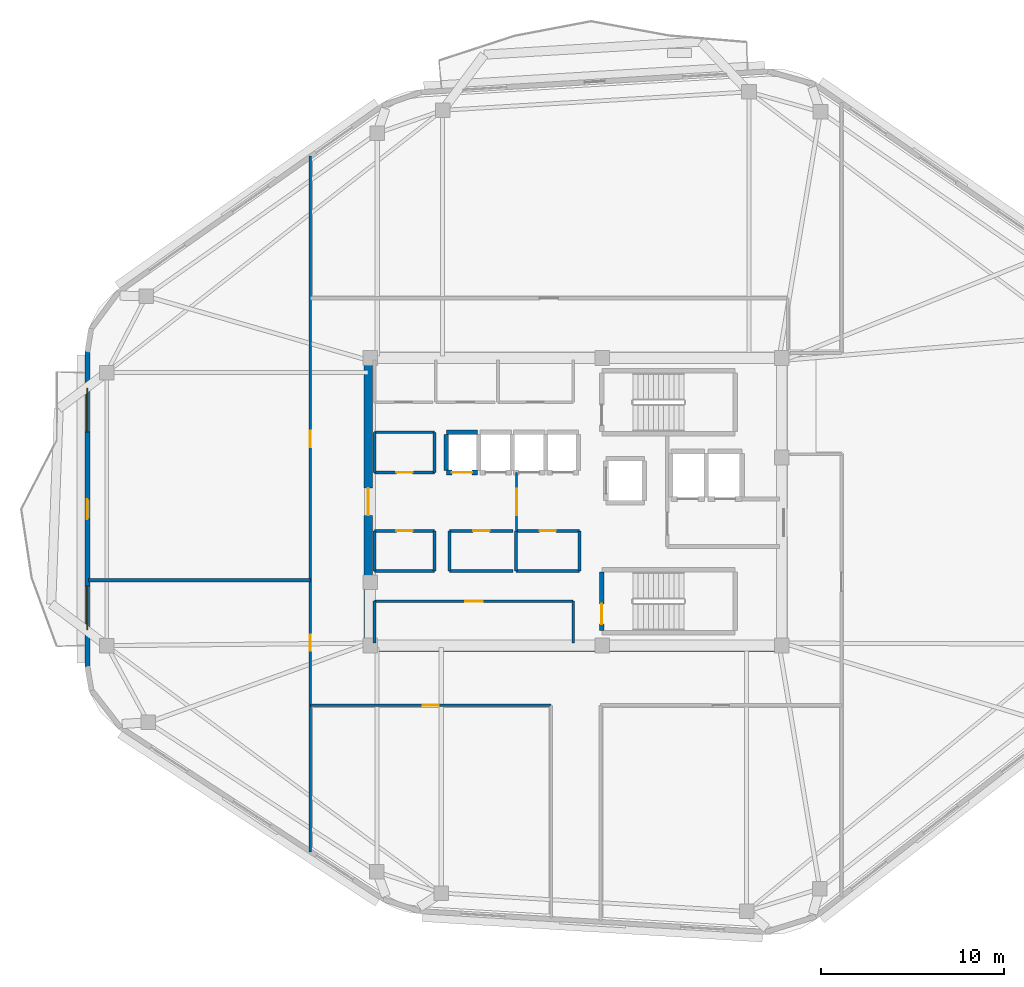
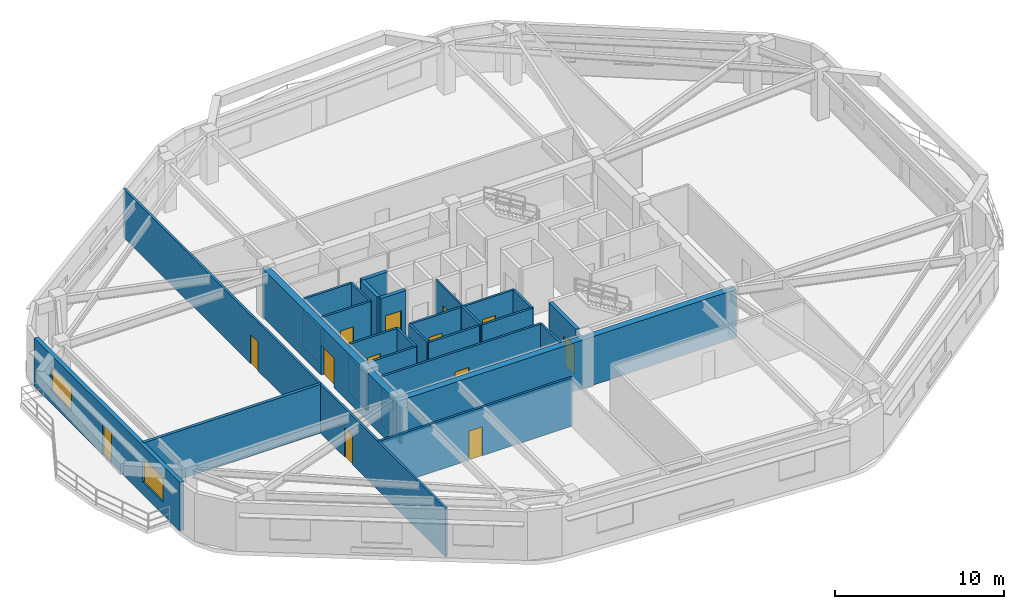
# One storey, part 3 of 9: 29 walls, 13 doors, 2 windows, 15 openings.
"""IFC4 building model written with IfcOpenShell, lengths in metres."""

import ifcopenshell
import ifcopenshell.guid

model = None  # the IFC model being written
_history = None  # IfcOwnerHistory: only IFC2X3 demands one
_inside = {}  # id of a spatial element -> (the spatial element, [elements in it])
_under = {}  # id of a project, library or spatial element -> (it, [spatial elements below it])
_declared = {}  # id of a project -> (the project, [libraries it declares])
_typed = {}  # id of a type object -> (the type object, [elements of that type])
_made_of = {}  # id of a material, layer set ... -> (it, [elements and type objects made of it])


def new_model(schema):
    """Start an empty IFC model of exactly this schema.

    Asked for "IFC4X3", IfcOpenShell would pick the latest addendum, in which some entities
    have other attributes; the version numbers below select the first issue.
    IFC2X3 requires an IfcOwnerHistory on every rooted entity: one is made here for all.
    """
    global model, _history
    if schema == "IFC4X3":
        model = ifcopenshell.file(schema_version=(4, 3, 0, 0))
    else:
        model = ifcopenshell.file(schema=schema)
    _inside.clear()
    _under.clear()
    _declared.clear()
    _typed.clear()
    _made_of.clear()
    _history = None
    if model.schema == "IFC2X3":
        org = make("IfcOrganization", Name="unknown")
        user = make(
            "IfcPersonAndOrganization",
            ThePerson=make("IfcPerson", FamilyName="unknown"),
            TheOrganization=org,
        )
        app = make(
            "IfcApplication",
            ApplicationDeveloper=org,
            Version="unknown",
            ApplicationFullName="unknown",
            ApplicationIdentifier="unknown",
        )
        _history = make(
            "IfcOwnerHistory",
            OwningUser=user,
            OwningApplication=app,
            ChangeAction="ADDED",
            CreationDate=0,
        )
    return model


def make(cls, **values):
    """One entity of the class cls with the attributes given. An attribute that is None is left unset."""
    return model.create_entity(
        cls, **{name: value for name, value in values.items() if value is not None}
    )


def rooted(cls, **values):
    """An entity with a GlobalId (a new one), such as an element, a storey or a relation."""
    return make(cls, GlobalId=ifcopenshell.guid.new(), OwnerHistory=_history, **values)


def si_unit(unit_type, name, prefix=None):
    """IfcSIUnit, for example si_unit("LENGTHUNIT", "METRE", prefix="MILLI")."""
    return make("IfcSIUnit", UnitType=unit_type, Prefix=prefix, Name=name)


def assignment(units):
    """IfcUnitAssignment: the units of a project."""
    return None if units is None else make("IfcUnitAssignment", Units=units)


def point(xyz):
    """IfcCartesianPoint."""
    return None if xyz is None else make("IfcCartesianPoint", Coordinates=xyz)


def direction(xyz):
    """IfcDirection."""
    return None if xyz is None else make("IfcDirection", DirectionRatios=xyz)


def frame(location, z_axis=None, x_axis=None):
    """IfcAxis2Placement3D, a coordinate frame: its origin and axes. An axis left out is left unset."""
    return make(
        "IfcAxis2Placement3D",
        Location=point(location),
        Axis=direction(z_axis),
        RefDirection=direction(x_axis),
    )


def frame_2d(location, x_axis=None):
    """IfcAxis2Placement2D, a coordinate frame in the plane: its origin and x axis."""
    return make(
        "IfcAxis2Placement2D", Location=point(location), RefDirection=direction(x_axis)
    )


def origin():
    """The frame at (0, 0, 0) with its axes left unset."""
    return frame((0.0, 0.0, 0.0))


def place(relative_to, where):
    """IfcLocalPlacement: puts the frame where relative to a parent placement (None: the world)."""
    return make(
        "IfcLocalPlacement", PlacementRelTo=relative_to, RelativePlacement=where
    )


def context(
    kind, dimensions, precision=None, world=None, true_north=None, identifier=None
):
    """IfcGeometricRepresentationContext, for example the 3D "Model" context."""
    return make(
        "IfcGeometricRepresentationContext",
        ContextIdentifier=identifier,
        ContextType=kind,
        CoordinateSpaceDimension=dimensions,
        Precision=precision,
        WorldCoordinateSystem=world,
        TrueNorth=true_north,
    )


def subcontext(parent, identifier, kind, view, scale=None):
    """IfcGeometricRepresentationSubContext, for example "Body" below "Model"."""
    return make(
        "IfcGeometricRepresentationSubContext",
        ContextIdentifier=identifier,
        ContextType=kind,
        ParentContext=parent,
        TargetScale=scale,
        TargetView=view,
    )


def project(units=None, contexts=None):
    """IfcProject with its units and contexts."""
    return rooted(
        "IfcProject",
        Name="project",
        RepresentationContexts=contexts,
        UnitsInContext=assignment(units),
    )


def spatial(cls, under=None, at=None, **own):
    """A site, building, storey or space (cls), placed at a placement, below another one or the project."""
    s = rooted(cls, ObjectPlacement=at, **own)
    if under is not None:
        _under.setdefault(under.id(), (under, []))[1].append(s)
    return s


def profile(cls, at=None, kind="AREA", **sizes):
    """A parametric profile (cls). Its sizes go by their IFC names, for example OverallWidth=200.0."""
    return make(cls, ProfileType=kind, Position=at, **sizes)


def rectangle(**sizes):
    """IfcRectangleProfileDef."""
    return profile("IfcRectangleProfileDef", **sizes)


def extrude(swept, where, along, depth):
    """IfcExtrudedAreaSolid: the profile swept, set in the frame where, extruded along a direction by depth."""
    return make(
        "IfcExtrudedAreaSolid",
        SweptArea=swept,
        Position=where,
        ExtrudedDirection=direction(along),
        Depth=depth,
    )


def shape(context_of_items, identifier, shape_type, items):
    """IfcShapeRepresentation: the items that make up one representation, for example the "Body"."""
    return make(
        "IfcShapeRepresentation",
        ContextOfItems=context_of_items,
        RepresentationIdentifier=identifier,
        RepresentationType=shape_type,
        Items=items,
    )


def material(Name=None, Category=None):
    """IfcMaterial."""
    return make("IfcMaterial", Name=Name, Category=Category)


def layer(
    of_material, thickness, ventilated=None, Name=None, Category=None, Priority=None
):
    """IfcMaterialLayer: one layer of a wall or slab, of a material (None: an air gap)."""
    return make(
        "IfcMaterialLayer",
        Material=of_material,
        LayerThickness=thickness,
        IsVentilated=ventilated,
        Name=Name,
        Category=Category,
        Priority=Priority,
    )


def layer_set(layers, Name=None):
    """IfcMaterialLayerSet."""
    return make("IfcMaterialLayerSet", MaterialLayers=layers, LayerSetName=Name)


def made_of(thing, what):
    """Note that an element or type object is made of a material, layer set ...; save() writes the relation."""
    if what is not None:
        _made_of.setdefault(what.id(), (what, []))[1].append(thing)
    return thing


def type_object(cls, material=None, **own):
    """A type object (cls), such as IfcWallType, which elements share."""
    return made_of(rooted(cls, **own), material)


def element(
    cls,
    number,
    at=None,
    inside=None,
    cuts=None,
    type_object=None,
    material=None,
    context=None,
    identifier="Body",
    shape_type=None,
    held_by="IfcProductDefinitionShape",
    body=None,
    shapes=None,
    **own,
):
    """One element of the class cls, such as IfcWall. Its Tag is "e" and its number.

    at: its placement. inside: the storey or other place that contains it. cuts: it is an
    opening in that element (IfcRelVoidsElement). A single representation is given by context,
    identifier, shape_type and body (its items); several are given by shapes. held_by: the class
    of the entity that holds the representations. save() writes the other relations.
    """
    e = rooted(cls, Tag="e%d" % number, ObjectPlacement=at, **own)
    if body is not None:
        shapes = [shape(context, identifier, shape_type, body)]
    if shapes is not None:
        e.Representation = make(held_by, Representations=shapes)
    if inside is not None:
        _inside.setdefault(inside.id(), (inside, []))[1].append(e)
    if cuts is not None:
        rooted(
            "IfcRelVoidsElement", RelatingBuildingElement=cuts, RelatedOpeningElement=e
        )
    if type_object is not None:
        _typed.setdefault(type_object.id(), (type_object, []))[1].append(e)
    return made_of(e, material)


def fill(opening, filler):
    """IfcRelFillsElement: the door or window that sits in an opening."""
    return rooted(
        "IfcRelFillsElement",
        RelatingOpeningElement=opening,
        RelatedBuildingElement=filler,
    )


def aggregate(whole, parts):
    """IfcRelAggregates: a whole, such as a stair, and the parts it consists of."""
    return rooted("IfcRelAggregates", RelatingObject=whole, RelatedObjects=parts)


def save(model, path):
    """Write the relations noted so far, then the file.

    IfcRelAggregates (storeys below a building ...), IfcRelContainedInSpatialStructure (elements
    in a storey), IfcRelDefinesByType, IfcRelAssociatesMaterial and IfcRelDeclares: one each for
    every whole, place, type object, material and project.
    """
    for whole, parts in _under.values():
        aggregate(whole, parts)
    for where, things in _inside.values():
        rooted(
            "IfcRelContainedInSpatialStructure",
            RelatedElements=things,
            RelatingStructure=where,
        )
    for kind, things in _typed.values():
        rooted("IfcRelDefinesByType", RelatedObjects=things, RelatingType=kind)
    for what, things in _made_of.values():
        rooted("IfcRelAssociatesMaterial", RelatedObjects=things, RelatingMaterial=what)
    for by, libraries in _declared.values():
        rooted("IfcRelDeclares", RelatingContext=by, RelatedDefinitions=libraries)
    model.write(path)


model = new_model("IFC4")

# Units and contexts
model_context = context("Model", 3, precision=1e-05, world=origin(), true_north=direction((0.0, 1.0)))
body_context = subcontext(model_context, "Body", "Model", "MODEL_VIEW")
ifc_project = project(units=[si_unit("LENGTHUNIT", "METRE"), si_unit("AREAUNIT", "SQUARE_METRE"), si_unit("VOLUMEUNIT", "CUBIC_METRE"), si_unit("PLANEANGLEUNIT", "RADIAN"), si_unit("MASSUNIT", "GRAM", prefix="KILO")], contexts=[model_context])

# Site, building, storey
site_placement = place(None, origin())
site = spatial("IfcSite", under=ifc_project, at=site_placement, CompositionType="ELEMENT")
building_placement = place(site_placement, origin())
building = spatial("IfcBuilding", under=site, at=building_placement, Name="Zulverin Broadcast Headquarters", CompositionType="ELEMENT")
storey_placement = place(building_placement, frame((0.0, 0.0, 244.0)))
storey = spatial("IfcBuildingStorey", under=building, at=storey_placement, Name="L62", CompositionType="ELEMENT", Elevation=244.0)

# Walls
ifc_material_1 = material(Name="Acoustic drywall steel stud", Category="steel")
ifc_layer_1 = layer(ifc_material_1, 0.199951171875, Name="Acoustic drywall steel stud", Category="steel")
ifc_layer_set_1 = layer_set([ifc_layer_1], Name="Acoustic drywall steel stud")
wall_type_1 = type_object("IfcWallType", Name="WL-ACOU-200", PredefinedType="PARTITIONING", material=ifc_layer_set_1)
wall_1_placement = place(storey_placement, frame((10.304931640625, 20.89990234375, 0.0), z_axis=(0.0, 0.0, 1.0), x_axis=(1.0, 0.0, 0.0)))
element("IfcWall", 1, at=wall_1_placement, inside=storey, type_object=wall_type_1, Name="L62 Room Partition Wall RP-09", PredefinedType="PARTITIONING", context=body_context, shape_type="SweptSolid", body=[
    extrude(rectangle(XDim=12.14501953125, YDim=0.199951171875, at=frame_2d((6.072509765625, 0.0))), origin(), (0.0, 0.0, 1.0), 3.510009765625),
])
ifc_material_2 = material(Name="Concrete C50/60", Category="concrete")
ifc_layer_2 = layer(ifc_material_2, 0.449951171875, Name="Concrete C50/60", Category="concrete")
ifc_layer_set_2 = layer_set([ifc_layer_2], Name="Concrete C50/60")
wall_type_2 = type_object("IfcWallType", Name="WL-CORE-450", PredefinedType="SHEAR", material=ifc_layer_set_2)
wall_2_placement = place(storey_placement, frame((25.39990234375, 17.22509765625, 0.0), z_axis=(0.0, 0.0, 1.0), x_axis=(1.0, 0.0, 0.0)))
element("IfcWall", 2, at=wall_2_placement, inside=storey, type_object=wall_type_2, Name="L62 Core South Shear Wall", PredefinedType="SHEAR", context=body_context, shape_type="SweptSolid", body=[
    extrude(rectangle(XDim=23.2001953125, YDim=0.449951171875, at=frame_2d((11.60009765625, 0.0))), origin(), (0.0, 0.0, 1.0), 3.510009765625),
])

# Wall, opening, door
wall_3_placement = place(storey_placement, frame((25.625, 17.449951171875, 0.0), z_axis=(0.0, 0.0, 1.0), x_axis=(0.0, 1.0, 0.0)))
wall_3 = element("IfcWall", 3, at=wall_3_placement, inside=storey, type_object=wall_type_2, Name="L62 Core West Shear Wall", PredefinedType="SHEAR", context=body_context, shape_type="SweptSolid", body=[
    extrude(rectangle(XDim=15.5, YDim=0.449951171875, at=frame_2d((7.75, 0.0))), origin(), (0.0, 0.0, 1.0), 3.510009765625),
])
opening_1_placement = place(wall_3_placement, frame((7.0, 0.0, 0.0)))
opening_1 = element("IfcOpeningElement", 4, at=opening_1_placement, cuts=wall_3, Name="Opening D-L62-CW1", PredefinedType="OPENING", context=body_context, shape_type="SweptSolid", body=[
    extrude(rectangle(XDim=1.5, YDim=2.14990234375, at=frame_2d((0.75, 1.074951171875))), frame((0.0, 0.23486328125, 0.0), z_axis=(0.0, -1.0, 0.0), x_axis=(1.0, 0.0, 0.0)), (0.0, 0.0, 1.0), 0.469970703125),
])
ifc_material_3 = material(Name="Fire-rated glazed steel frame", Category="steel")
door_type_1 = type_object("IfcDoorType", Name="DR-COR-1500", OperationType="DOUBLE_DOOR_SINGLE_SWING", PredefinedType="DOOR", material=ifc_material_3)
door_1_placement = place(opening_1_placement, origin())
door_1 = element("IfcDoor", 5, at=door_1_placement, inside=storey, type_object=door_type_1, Name="L62 Central Lift Lobby West Portal Door", OperationType="DOUBLE_DOOR_SINGLE_SWING", OverallHeight=2.14990234375, OverallWidth=1.5, PredefinedType="DOOR", context=body_context, shape_type="SweptSolid", body=[
    extrude(rectangle(XDim=1.5, YDim=2.14990234375, at=frame_2d((0.75, 1.074951171875))), frame((0.0, 0.02490234375, 0.0), z_axis=(0.0, -1.0, 0.0), x_axis=(1.0, 0.0, 0.0)), (0.0, 0.0, 1.0), 0.050048828125),
])
fill(opening_1, door_1)

# Wall, openings, door, windows
ifc_material_4 = material(Name="Insulated pale-metal clad concrete spandrel C40/50", Category="concrete")
ifc_layer_3 = layer(ifc_material_4, 0.280029296875, Name="Insulated pale-metal clad concrete spandrel C40/50", Category="concrete")
ifc_layer_set_3 = layer_set([ifc_layer_3], Name="Insulated pale-metal clad concrete spandrel C40/50")
wall_type_3 = type_object("IfcWallType", Name="WL-EXT-280", PredefinedType="STANDARD", material=ifc_layer_set_3)
wall_4_placement = place(storey_placement, frame((10.239990234375, 33.42529296875, 0.0), z_axis=(0.0, 0.0, 1.0), x_axis=(0.0, -1.0, 0.0)))
wall_4 = element("IfcWall", 6, at=wall_4_placement, inside=storey, type_object=wall_type_3, Name="L62 Pale-Metal Clad Spandrel Wall 7", PredefinedType="STANDARD", context=body_context, shape_type="SweptSolid", body=[
    extrude(rectangle(XDim=17.256591796875, YDim=0.280029296875, at=frame_2d((8.62841796875, 0.0))), origin(), (0.0, 0.0, 1.0), 3.510009765625),
])
opening_2_placement = place(wall_4_placement, frame((8.078369140625, 0.0, 0.0)))
opening_2 = element("IfcOpeningElement", 7, at=opening_2_placement, cuts=wall_4, Name="Opening D-L62-TR7", PredefinedType="OPENING", context=body_context, shape_type="SweptSolid", body=[
    extrude(rectangle(XDim=1.10009765625, YDim=2.199951171875, at=frame_2d((0.550048828125, 1.10009765625))), frame((0.0, 0.14990234375, 0.0), z_axis=(0.0, -1.0, 0.0), x_axis=(1.0, 0.0, 0.0)), (0.0, 0.0, 1.0), 0.300048828125),
])
opening_3_placement = place(wall_4_placement, frame((2.009521484375, 0.0, 0.89990234375)))
opening_3 = element("IfcOpeningElement", 8, at=opening_3_placement, cuts=wall_4, Name="Opening W-L62-E71", PredefinedType="OPENING", context=body_context, shape_type="SweptSolid", body=[
    extrude(rectangle(XDim=2.39990234375, YDim=1.75, at=frame_2d((1.199951171875, 0.875))), frame((0.0, 0.14990234375, 0.0), z_axis=(0.0, -1.0, 0.0), x_axis=(1.0, 0.0, 0.0)), (0.0, 0.0, 1.0), 0.300048828125),
])
opening_4_placement = place(wall_4_placement, frame((12.84716796875, 0.0, 0.89990234375)))
opening_4 = element("IfcOpeningElement", 9, at=opening_4_placement, cuts=wall_4, Name="Opening W-L62-E72", PredefinedType="OPENING", context=body_context, shape_type="SweptSolid", body=[
    extrude(rectangle(XDim=2.39990234375, YDim=1.75, at=frame_2d((1.199951171875, 0.875))), frame((0.0, 0.14990234375, 0.0), z_axis=(0.0, -1.0, 0.0), x_axis=(1.0, 0.0, 0.0)), (0.0, 0.0, 1.0), 0.300048828125),
])
ifc_material_5 = material(Name="Thermally broken aluminium glazed", Category="aluminium")
door_type_2 = type_object("IfcDoorType", Name="DR-TERR-1100", OperationType="SINGLE_SWING_RIGHT", PredefinedType="DOOR", material=ifc_material_5)
door_2_placement = place(opening_2_placement, origin())
door_2 = element("IfcDoor", 10, at=door_2_placement, inside=storey, type_object=door_type_2, Name="L62 Planted Terrace Glazed Access Door 7", OperationType="SINGLE_SWING_RIGHT", OverallHeight=2.199951171875, OverallWidth=1.10009765625, PredefinedType="DOOR", context=body_context, shape_type="SweptSolid", body=[
    extrude(rectangle(XDim=1.10009765625, YDim=2.199951171875, at=frame_2d((0.550048828125, 1.10009765625))), frame((0.0, 0.02490234375, 0.0), z_axis=(0.0, -1.0, 0.0), x_axis=(1.0, 0.0, 0.0)), (0.0, 0.0, 1.0), 0.050048828125),
])
fill(opening_2, door_2)
ifc_material_6 = material(Name="Pale anodized aluminium frame with solar-control low-E double glazing", Category="aluminium")
window_type = type_object("IfcWindowType", Name="WIN-RIB-2400", PartitioningType="SINGLE_PANEL", PredefinedType="WINDOW", material=ifc_material_6)
window_1_placement = place(opening_3_placement, origin())
window_1 = element("IfcWindow", 11, at=window_1_placement, inside=storey, type_object=window_type, Name="L62 Ribbon Glazing Window 7 1", OverallHeight=1.75, OverallWidth=2.39990234375, PartitioningType="SINGLE_PANEL", PredefinedType="WINDOW", context=body_context, shape_type="SweptSolid", body=[
    extrude(rectangle(XDim=2.39990234375, YDim=1.75, at=frame_2d((1.199951171875, 0.875))), frame((0.0, 0.030029296875, 0.0), z_axis=(0.0, -1.0, 0.0), x_axis=(1.0, 0.0, 0.0)), (0.0, 0.0, 1.0), 0.06005859375),
])
fill(opening_3, window_1)
window_2_placement = place(opening_4_placement, origin())
window_2 = element("IfcWindow", 12, at=window_2_placement, inside=storey, type_object=window_type, Name="L62 Ribbon Glazing Window 7 2", OverallHeight=1.75, OverallWidth=2.39990234375, PartitioningType="SINGLE_PANEL", PredefinedType="WINDOW", context=body_context, shape_type="SweptSolid", body=[
    extrude(rectangle(XDim=2.39990234375, YDim=1.75, at=frame_2d((1.199951171875, 0.875))), frame((0.0, 0.030029296875, 0.0), z_axis=(0.0, -1.0, 0.0), x_axis=(1.0, 0.0, 0.0)), (0.0, 0.0, 1.0), 0.06005859375),
])
fill(opening_4, window_2)

# Wall, opening, door
ifc_material_7 = material(Name="Fire-rated acoustic laminated glass screen", Category="glass")
ifc_layer_4 = layer(ifc_material_7, 0.10009765625, Name="Fire-rated acoustic laminated glass screen", Category="glass")
ifc_layer_set_4 = layer_set([ifc_layer_4], Name="Fire-rated acoustic laminated glass screen")
wall_type_4 = type_object("IfcWallType", Name="WL-GLAZ-100", PredefinedType="PARTITIONING", material=ifc_layer_set_4)
wall_5_placement = place(storey_placement, frame((33.75, 23.60009765625, 0.0), z_axis=(0.0, 0.0, 1.0), x_axis=(0.0, 1.0, 0.0)))
wall_5 = element("IfcWall", 13, at=wall_5_placement, inside=storey, type_object=wall_type_4, Name="L62 Core Lobby Acoustic Screen", PredefinedType="PARTITIONING", context=body_context, shape_type="SweptSolid", body=[
    extrude(rectangle(XDim=3.199951171875, YDim=0.10009765625, at=frame_2d((1.60009765625, 0.0))), origin(), (0.0, 0.0, 1.0), 3.510009765625),
])
opening_5_placement = place(wall_5_placement, frame((0.85009765625, 0.0, 0.0)))
opening_5 = element("IfcOpeningElement", 14, at=opening_5_placement, cuts=wall_5, Name="Opening D-L62-CL1", PredefinedType="OPENING", context=body_context, shape_type="SweptSolid", body=[
    extrude(rectangle(XDim=1.449951171875, YDim=2.1201171875, at=frame_2d((0.72509765625, 1.06005859375))), frame((0.0, 0.06005859375, 0.0), z_axis=(0.0, -1.0, 0.0), x_axis=(1.0, 0.0, 0.0)), (0.0, 0.0, 1.0), 0.1201171875),
])
ifc_material_8 = material(Name="Fire-rated acoustic glazed double leaf", Category="glass")
door_type_3 = type_object("IfcDoorType", Name="DR-GLZ-1450", OperationType="DOUBLE_DOOR_SINGLE_SWING", PredefinedType="DOOR", material=ifc_material_8)
door_3_placement = place(opening_5_placement, origin())
door_3 = element("IfcDoor", 15, at=door_3_placement, inside=storey, type_object=door_type_3, Name="L62 Core Lobby Vestibule Door", OperationType="DOUBLE_DOOR_SINGLE_SWING", OverallHeight=2.1201171875, OverallWidth=1.449951171875, PredefinedType="DOOR", context=body_context, shape_type="SweptSolid", body=[
    extrude(rectangle(XDim=1.449951171875, YDim=2.1201171875, at=frame_2d((0.72509765625, 1.06005859375))), frame((0.0, 0.02490234375, 0.0), z_axis=(0.0, -1.0, 0.0), x_axis=(1.0, 0.0, 0.0)), (0.0, 0.0, 1.0), 0.050048828125),
])
fill(opening_5, door_3)

ifc_material_9 = material(Name="Fire-rated gypsum stud partition", Category="gypsum")
ifc_layer_5 = layer(ifc_material_9, 0.14990234375, Name="Fire-rated gypsum stud partition", Category="gypsum")
ifc_layer_set_5 = layer_set([ifc_layer_5], Name="Fire-rated gypsum stud partition")
wall_type_5 = type_object("IfcWallType", Name="WL-PART-150", PredefinedType="PARTITIONING", material=ifc_layer_set_5)
wall_6_placement = place(storey_placement, frame((25.969970703125, 19.75, 0.0), z_axis=(0.0, 0.0, 1.0), x_axis=(1.0, 0.0, 0.0)))
wall_6 = element("IfcWall", 16, at=wall_6_placement, inside=storey, type_object=wall_type_5, Name="L62 Core Female WC & Facilities Room Front Wall", PredefinedType="PARTITIONING", context=body_context, shape_type="SweptSolid", body=[
    extrude(rectangle(XDim=10.880126953125, YDim=0.14990234375, at=frame_2d((5.43994140625, 0.0))), origin(), (0.0, 0.0, 1.0), 3.510009765625),
])
opening_6_placement = place(wall_6_placement, frame((4.965087890625, 0.0, 0.0)))
opening_6 = element("IfcOpeningElement", 17, at=opening_6_placement, cuts=wall_6, Name="Opening D-L62-SC1", PredefinedType="OPENING", context=body_context, shape_type="SweptSolid", body=[
    extrude(rectangle(XDim=0.949951171875, YDim=2.10009765625, at=frame_2d((0.47509765625, 1.050048828125))), frame((0.0, 0.0849609375, 0.0), z_axis=(0.0, -1.0, 0.0), x_axis=(1.0, 0.0, 0.0)), (0.0, 0.0, 1.0), 0.169921875),
])
ifc_material_10 = material(Name="Fire-rated moisture-resistant laminate leaf", Category="wood")
door_type_4 = type_object("IfcDoorType", Name="DR-WC-950", OperationType="SINGLE_SWING_LEFT", PredefinedType="DOOR", material=ifc_material_10)
door_4_placement = place(opening_6_placement, origin())
door_4 = element("IfcDoor", 18, at=door_4_placement, inside=storey, type_object=door_type_4, Name="L62 Female WC & Facilities Room Door", OperationType="SINGLE_SWING_RIGHT", OverallHeight=2.10009765625, OverallWidth=0.949951171875, PredefinedType="DOOR", context=body_context, shape_type="SweptSolid", body=[
    extrude(rectangle(XDim=0.949951171875, YDim=2.10009765625, at=frame_2d((0.47509765625, 1.050048828125))), frame((0.0, 0.02490234375, 0.0), z_axis=(0.0, -1.0, 0.0), x_axis=(1.0, 0.0, 0.0)), (0.0, 0.0, 1.0), 0.050048828125),
])
fill(opening_6, door_4)

# Walls
wall_7_placement = place(storey_placement, frame((25.969970703125, 17.449951171875, 0.0), z_axis=(0.0, 0.0, 1.0), x_axis=(0.0, 1.0, 0.0)))
element("IfcWall", 19, at=wall_7_placement, inside=storey, type_object=wall_type_5, Name="L62 Core Female WC & Facilities Room West Wall", PredefinedType="PARTITIONING", context=body_context, shape_type="SweptSolid", body=[
    extrude(rectangle(XDim=2.300048828125, YDim=0.14990234375, at=frame_2d((1.14990234375, 0.0))), origin(), (0.0, 0.0, 1.0), 2.610107421875),
])
wall_8_placement = place(storey_placement, frame((36.85009765625, 17.449951171875, 0.0), z_axis=(0.0, 0.0, 1.0), x_axis=(0.0, 1.0, 0.0)))
element("IfcWall", 20, at=wall_8_placement, inside=storey, type_object=wall_type_5, Name="L62 Core Female WC & Facilities Room East Wall", PredefinedType="PARTITIONING", context=body_context, shape_type="SweptSolid", body=[
    extrude(rectangle(XDim=2.300048828125, YDim=0.14990234375, at=frame_2d((1.14990234375, 0.0))), origin(), (0.0, 0.0, 1.0), 3.510009765625),
])

# Wall, opening, door
wall_9_placement = place(storey_placement, frame((25.969970703125, 26.800048828125, 0.0), z_axis=(0.0, 0.0, 1.0), x_axis=(1.0, 0.0, 0.0)))
wall_9 = element("IfcWall", 21, at=wall_9_placement, inside=storey, type_object=wall_type_5, Name="L62 Core UPS Battery Store S Wall", PredefinedType="PARTITIONING", context=body_context, shape_type="SweptSolid", body=[
    extrude(rectangle(XDim=3.280029296875, YDim=0.14990234375, at=frame_2d((1.64013671875, 0.0))), origin(), (0.0, 0.0, 1.0), 3.510009765625),
])
opening_7_placement = place(wall_9_placement, frame((1.18994140625, 0.0, 0.0)))
opening_7 = element("IfcOpeningElement", 22, at=opening_7_placement, cuts=wall_9, Name="Opening D-L62-RCLN", PredefinedType="OPENING", context=body_context, shape_type="SweptSolid", body=[
    extrude(rectangle(XDim=0.89990234375, YDim=2.10009765625, at=frame_2d((0.449951171875, 1.050048828125))), frame((0.0, 0.0849609375, 0.0), z_axis=(0.0, -1.0, 0.0), x_axis=(1.0, 0.0, 0.0)), (0.0, 0.0, 1.0), 0.169921875),
])
ifc_material_11 = material(Name="Powder-coated steel access leaf", Category="steel")
door_type_5 = type_object("IfcDoorType", Name="DR-RISER-900", OperationType="SINGLE_SWING_LEFT", PredefinedType="DOOR", material=ifc_material_11)
door_5_placement = place(opening_7_placement, origin())
door_5 = element("IfcDoor", 23, at=door_5_placement, inside=storey, type_object=door_type_5, Name="L62 Core UPS Battery Store Door", OperationType="SINGLE_SWING_LEFT", OverallHeight=2.10009765625, OverallWidth=0.89990234375, PredefinedType="DOOR", context=body_context, shape_type="SweptSolid", body=[
    extrude(rectangle(XDim=0.89990234375, YDim=2.10009765625, at=frame_2d((0.449951171875, 1.050048828125))), frame((0.0, 0.02490234375, 0.0), z_axis=(0.0, -1.0, 0.0), x_axis=(1.0, 0.0, 0.0)), (0.0, 0.0, 1.0), 0.050048828125),
])
fill(opening_7, door_5)

# Walls
wall_10_placement = place(storey_placement, frame((25.969970703125, 29.0, 0.0), z_axis=(0.0, 0.0, 1.0), x_axis=(1.0, 0.0, 0.0)))
element("IfcWall", 24, at=wall_10_placement, inside=storey, type_object=wall_type_5, Name="L62 Core UPS Battery Store N Wall", PredefinedType="PARTITIONING", context=body_context, shape_type="SweptSolid", body=[
    extrude(rectangle(XDim=3.280029296875, YDim=0.14990234375, at=frame_2d((1.64013671875, 0.0))), origin(), (0.0, 0.0, 1.0), 3.510009765625),
])
wall_11_placement = place(storey_placement, frame((25.969970703125, 26.800048828125, 0.0), z_axis=(0.0, 0.0, 1.0), x_axis=(0.0, 1.0, 0.0)))
element("IfcWall", 25, at=wall_11_placement, inside=storey, type_object=wall_type_5, Name="L62 Core UPS Battery Store W Wall", PredefinedType="PARTITIONING", context=body_context, shape_type="SweptSolid", body=[
    extrude(rectangle(XDim=2.199951171875, YDim=0.14990234375, at=frame_2d((1.10009765625, 0.0))), origin(), (0.0, 0.0, 1.0), 2.610107421875),
])
wall_12_placement = place(storey_placement, frame((29.25, 26.800048828125, 0.0), z_axis=(0.0, 0.0, 1.0), x_axis=(0.0, 1.0, 0.0)))
element("IfcWall", 26, at=wall_12_placement, inside=storey, type_object=wall_type_5, Name="L62 Core UPS Battery Store E Wall", PredefinedType="PARTITIONING", context=body_context, shape_type="SweptSolid", body=[
    extrude(rectangle(XDim=2.199951171875, YDim=0.14990234375, at=frame_2d((1.10009765625, 0.0))), origin(), (0.0, 0.0, 1.0), 3.510009765625),
])
wall_13_placement = place(storey_placement, frame((25.969970703125, 21.39990234375, 0.0), z_axis=(0.0, 0.0, 1.0), x_axis=(1.0, 0.0, 0.0)))
element("IfcWall", 27, at=wall_13_placement, inside=storey, type_object=wall_type_5, Name="L62 Media Ingestion Server Room S Wall", PredefinedType="PARTITIONING", context=body_context, shape_type="SweptSolid", body=[
    extrude(rectangle(XDim=3.280029296875, YDim=0.14990234375, at=frame_2d((1.64013671875, 0.0))), origin(), (0.0, 0.0, 1.0), 3.510009765625),
])

# Wall, opening, door
wall_14_placement = place(storey_placement, frame((25.969970703125, 23.60009765625, 0.0), z_axis=(0.0, 0.0, 1.0), x_axis=(1.0, 0.0, 0.0)))
wall_14 = element("IfcWall", 28, at=wall_14_placement, inside=storey, type_object=wall_type_5, Name="L62 Media Ingestion Server Room N Wall", PredefinedType="PARTITIONING", context=body_context, shape_type="SweptSolid", body=[
    extrude(rectangle(XDim=3.280029296875, YDim=0.14990234375, at=frame_2d((1.64013671875, 0.0))), origin(), (0.0, 0.0, 1.0), 3.510009765625),
])
opening_8_placement = place(wall_14_placement, frame((1.18994140625, 0.0, 0.0)))
opening_8 = element("IfcOpeningElement", 29, at=opening_8_placement, cuts=wall_14, Name="Opening D-L62-RCLS", PredefinedType="OPENING", context=body_context, shape_type="SweptSolid", body=[
    extrude(rectangle(XDim=0.89990234375, YDim=2.10009765625, at=frame_2d((0.449951171875, 1.050048828125))), frame((0.0, 0.0849609375, 0.0), z_axis=(0.0, -1.0, 0.0), x_axis=(1.0, 0.0, 0.0)), (0.0, 0.0, 1.0), 0.169921875),
])
door_6_placement = place(opening_8_placement, origin())
door_6 = element("IfcDoor", 30, at=door_6_placement, inside=storey, type_object=door_type_5, Name="L62 Media Ingestion Server Room Door", OperationType="SINGLE_SWING_RIGHT", OverallHeight=2.10009765625, OverallWidth=0.89990234375, PredefinedType="DOOR", context=body_context, shape_type="SweptSolid", body=[
    extrude(rectangle(XDim=0.89990234375, YDim=2.10009765625, at=frame_2d((0.449951171875, 1.050048828125))), frame((0.0, 0.02490234375, 0.0), z_axis=(0.0, -1.0, 0.0), x_axis=(1.0, 0.0, 0.0)), (0.0, 0.0, 1.0), 0.050048828125),
])
fill(opening_8, door_6)

# Walls
wall_15_placement = place(storey_placement, frame((25.969970703125, 21.39990234375, 0.0), z_axis=(0.0, 0.0, 1.0), x_axis=(0.0, 1.0, 0.0)))
element("IfcWall", 31, at=wall_15_placement, inside=storey, type_object=wall_type_5, Name="L62 Media Ingestion Server Room W Wall", PredefinedType="PARTITIONING", context=body_context, shape_type="SweptSolid", body=[
    extrude(rectangle(XDim=2.2001953125, YDim=0.14990234375, at=frame_2d((1.10009765625, 0.0))), origin(), (0.0, 0.0, 1.0), 2.610107421875),
])
wall_16_placement = place(storey_placement, frame((29.25, 21.39990234375, 0.0), z_axis=(0.0, 0.0, 1.0), x_axis=(0.0, 1.0, 0.0)))
element("IfcWall", 32, at=wall_16_placement, inside=storey, type_object=wall_type_5, Name="L62 Media Ingestion Server Room E Wall", PredefinedType="PARTITIONING", context=body_context, shape_type="SweptSolid", body=[
    extrude(rectangle(XDim=2.2001953125, YDim=0.14990234375, at=frame_2d((1.10009765625, 0.0))), origin(), (0.0, 0.0, 1.0), 3.510009765625),
])
wall_17_placement = place(storey_placement, frame((30.080078125, 21.39990234375, 0.0), z_axis=(0.0, 0.0, 1.0), x_axis=(1.0, 0.0, 0.0)))
element("IfcWall", 33, at=wall_17_placement, inside=storey, type_object=wall_type_5, Name="L62 High-Zone Archive Vault Store S Wall", PredefinedType="PARTITIONING", context=body_context, shape_type="SweptSolid", body=[
    extrude(rectangle(XDim=3.47998046875, YDim=0.14990234375, at=frame_2d((1.739990234375, 0.0))), origin(), (0.0, 0.0, 1.0), 3.510009765625),
])

# Wall, opening, door
wall_18_placement = place(storey_placement, frame((30.080078125, 23.60009765625, 0.0), z_axis=(0.0, 0.0, 1.0), x_axis=(1.0, 0.0, 0.0)))
wall_18 = element("IfcWall", 34, at=wall_18_placement, inside=storey, type_object=wall_type_5, Name="L62 High-Zone Archive Vault Store N Wall", PredefinedType="PARTITIONING", context=body_context, shape_type="SweptSolid", body=[
    extrude(rectangle(XDim=3.47998046875, YDim=0.14990234375, at=frame_2d((1.739990234375, 0.0))), origin(), (0.0, 0.0, 1.0), 3.510009765625),
])
opening_9_placement = place(wall_18_placement, frame((1.2900390625, 0.0, 0.0)))
opening_9 = element("IfcOpeningElement", 35, at=opening_9_placement, cuts=wall_18, Name="Opening D-L62-RM1", PredefinedType="OPENING", context=body_context, shape_type="SweptSolid", body=[
    extrude(rectangle(XDim=0.89990234375, YDim=2.10009765625, at=frame_2d((0.449951171875, 1.050048828125))), frame((0.0, 0.0849609375, 0.0), z_axis=(0.0, -1.0, 0.0), x_axis=(1.0, 0.0, 0.0)), (0.0, 0.0, 1.0), 0.169921875),
])
door_7_placement = place(opening_9_placement, origin())
door_7 = element("IfcDoor", 36, at=door_7_placement, inside=storey, type_object=door_type_5, Name="L62 High-Zone Archive Vault Store Door", OperationType="SINGLE_SWING_LEFT", OverallHeight=2.10009765625, OverallWidth=0.89990234375, PredefinedType="DOOR", context=body_context, shape_type="SweptSolid", body=[
    extrude(rectangle(XDim=0.89990234375, YDim=2.10009765625, at=frame_2d((0.449951171875, 1.050048828125))), frame((0.0, 0.02490234375, 0.0), z_axis=(0.0, -1.0, 0.0), x_axis=(1.0, 0.0, 0.0)), (0.0, 0.0, 1.0), 0.050048828125),
])
fill(opening_9, door_7)

# Walls
wall_19_placement = place(storey_placement, frame((30.080078125, 21.39990234375, 0.0), z_axis=(0.0, 0.0, 1.0), x_axis=(0.0, 1.0, 0.0)))
element("IfcWall", 37, at=wall_19_placement, inside=storey, type_object=wall_type_5, Name="L62 High-Zone Archive Vault Store W Wall", PredefinedType="PARTITIONING", context=body_context, shape_type="SweptSolid", body=[
    extrude(rectangle(XDim=2.2001953125, YDim=0.14990234375, at=frame_2d((1.10009765625, 0.0))), origin(), (0.0, 0.0, 1.0), 3.510009765625),
])
wall_20_placement = place(storey_placement, frame((33.719970703125, 21.39990234375, 0.0), z_axis=(0.0, 0.0, 1.0), x_axis=(1.0, 0.0, 0.0)))
element("IfcWall", 38, at=wall_20_placement, inside=storey, type_object=wall_type_5, Name="L62 Executive Floor Pantry Store S Wall", PredefinedType="PARTITIONING", context=body_context, shape_type="SweptSolid", body=[
    extrude(rectangle(XDim=3.47998046875, YDim=0.14990234375, at=frame_2d((1.739990234375, 0.0))), origin(), (0.0, 0.0, 1.0), 3.510009765625),
])

# Wall, opening, door
wall_21_placement = place(storey_placement, frame((33.719970703125, 23.60009765625, 0.0), z_axis=(0.0, 0.0, 1.0), x_axis=(1.0, 0.0, 0.0)))
wall_21 = element("IfcWall", 39, at=wall_21_placement, inside=storey, type_object=wall_type_5, Name="L62 Executive Floor Pantry Store N Wall", PredefinedType="PARTITIONING", context=body_context, shape_type="SweptSolid", body=[
    extrude(rectangle(XDim=3.47998046875, YDim=0.14990234375, at=frame_2d((1.739990234375, 0.0))), origin(), (0.0, 0.0, 1.0), 3.510009765625),
])
opening_10_placement = place(wall_21_placement, frame((1.2900390625, 0.0, 0.0)))
opening_10 = element("IfcOpeningElement", 40, at=opening_10_placement, cuts=wall_21, Name="Opening D-L62-RM2", PredefinedType="OPENING", context=body_context, shape_type="SweptSolid", body=[
    extrude(rectangle(XDim=0.89990234375, YDim=2.10009765625, at=frame_2d((0.449951171875, 1.050048828125))), frame((0.0, 0.0849609375, 0.0), z_axis=(0.0, -1.0, 0.0), x_axis=(1.0, 0.0, 0.0)), (0.0, 0.0, 1.0), 0.169921875),
])
door_8_placement = place(opening_10_placement, origin())
door_8 = element("IfcDoor", 41, at=door_8_placement, inside=storey, type_object=door_type_5, Name="L62 Executive Floor Pantry Store Door", OperationType="SINGLE_SWING_RIGHT", OverallHeight=2.10009765625, OverallWidth=0.89990234375, PredefinedType="DOOR", context=body_context, shape_type="SweptSolid", body=[
    extrude(rectangle(XDim=0.89990234375, YDim=2.10009765625, at=frame_2d((0.449951171875, 1.050048828125))), frame((0.0, 0.02490234375, 0.0), z_axis=(0.0, -1.0, 0.0), x_axis=(1.0, 0.0, 0.0)), (0.0, 0.0, 1.0), 0.050048828125),
])
fill(opening_10, door_8)

# Walls
for number, where, z_axis, x_axis, name in (
    (42, (33.719970703125, 21.39990234375, 0.0), (0.0, 0.0, 1.0), (0.0, 1.0, 0.0), "L62 Executive Floor Pantry Store W Wall"),
    (43, (37.199951171875, 21.39990234375, 0.0), (0.0, 0.0, 1.0), (0.0, 1.0, 0.0), "L62 Executive Floor Pantry Store E Wall"),
):
    element("IfcWall", number, at=place(storey_placement, frame(where, z_axis=z_axis, x_axis=x_axis)), inside=storey, type_object=wall_type_5, Name=name, PredefinedType="PARTITIONING", context=body_context, shape_type="SweptSolid", body=[
        extrude(rectangle(XDim=2.2001953125, YDim=0.14990234375, at=frame_2d((1.10009765625, 0.0))), origin(), (0.0, 0.0, 1.0), 3.510009765625),
    ])

# Wall, openings, doors
wall_22_placement = place(storey_placement, frame((22.449951171875, 6.019775390625, 0.0), z_axis=(0.0, 0.0, 1.0), x_axis=(0.0, 1.0, 0.0)))
wall_22 = element("IfcWall", 44, at=wall_22_placement, inside=storey, type_object=wall_type_5, Name="L62 Gallery Partition Wall CG-06", PredefinedType="PARTITIONING", context=body_context, shape_type="SweptSolid", body=[
    extrude(rectangle(XDim=38.106201171875, YDim=0.14990234375, at=frame_2d((19.05322265625, 0.0))), origin(), (0.0, 0.0, 1.0), 3.510009765625),
])
opening_11_placement = place(wall_22_placement, frame((11.00537109375, 0.0, 0.0)))
opening_11 = element("IfcOpeningElement", 45, at=opening_11_placement, cuts=wall_22, Name="Opening D-L62-04", PredefinedType="OPENING", context=body_context, shape_type="SweptSolid", body=[
    extrude(rectangle(XDim=0.89990234375, YDim=2.10009765625, at=frame_2d((0.449951171875, 1.050048828125))), frame((0.0, 0.0849609375, 0.0), z_axis=(0.0, -1.0, 0.0), x_axis=(1.0, 0.0, 0.0)), (0.0, 0.0, 1.0), 0.169921875),
])
opening_12_placement = place(wall_22_placement, frame((22.1552734375, 0.0, 0.0)))
opening_12 = element("IfcOpeningElement", 46, at=opening_12_placement, cuts=wall_22, Name="Opening D-L62-05", PredefinedType="OPENING", context=body_context, shape_type="SweptSolid", body=[
    extrude(rectangle(XDim=0.89990234375, YDim=2.10009765625, at=frame_2d((0.449951171875, 1.050048828125))), frame((0.0, 0.0849609375, 0.0), z_axis=(0.0, -1.0, 0.0), x_axis=(1.0, 0.0, 0.0)), (0.0, 0.0, 1.0), 0.169921875),
])
ifc_material_12 = material(Name="Fire-rated hardwood veneer timber leaf", Category="wood")
door_type_6 = type_object("IfcDoorType", Name="DR-ROOM-900", OperationType="SINGLE_SWING_RIGHT", PredefinedType="DOOR", material=ifc_material_12)
door_9_placement = place(opening_11_placement, origin())
door_9 = element("IfcDoor", 47, at=door_9_placement, inside=storey, type_object=door_type_6, Name="L62 Catering Pantry Door", OperationType="SINGLE_SWING_LEFT", OverallHeight=2.10009765625, OverallWidth=0.89990234375, PredefinedType="DOOR", context=body_context, shape_type="SweptSolid", body=[
    extrude(rectangle(XDim=0.89990234375, YDim=2.10009765625, at=frame_2d((0.449951171875, 1.050048828125))), frame((0.0, 0.02490234375, 0.0), z_axis=(0.0, -1.0, 0.0), x_axis=(1.0, 0.0, 0.0)), (0.0, 0.0, 1.0), 0.050048828125),
])
fill(opening_11, door_9)
door_10_placement = place(opening_12_placement, origin())
door_10 = element("IfcDoor", 48, at=door_10_placement, inside=storey, type_object=door_type_6, Name="L62 Diplomatic Reception Foyer Door", OperationType="SINGLE_SWING_RIGHT", OverallHeight=2.10009765625, OverallWidth=0.89990234375, PredefinedType="DOOR", context=body_context, shape_type="SweptSolid", body=[
    extrude(rectangle(XDim=0.89990234375, YDim=2.10009765625, at=frame_2d((0.449951171875, 1.050048828125))), frame((0.0, 0.02490234375, 0.0), z_axis=(0.0, -1.0, 0.0), x_axis=(1.0, 0.0, 0.0)), (0.0, 0.0, 1.0), 0.050048828125),
])
fill(opening_12, door_10)

# Wall, opening, door
wall_23_placement = place(storey_placement, frame((22.449951171875, 14.050048828125, 0.0), z_axis=(0.0, 0.0, 1.0), x_axis=(1.0, 0.0, 0.0)))
wall_23 = element("IfcWall", 49, at=wall_23_placement, inside=storey, type_object=wall_type_5, Name="L62 Gallery Partition Wall CG-07", PredefinedType="PARTITIONING", context=body_context, shape_type="SweptSolid", body=[
    extrude(rectangle(XDim=13.199951171875, YDim=0.14990234375, at=frame_2d((6.60009765625, 0.0))), origin(), (0.0, 0.0, 1.0), 3.510009765625),
])
opening_13_placement = place(wall_23_placement, frame((6.14990234375, 0.0, 0.0)))
opening_13 = element("IfcOpeningElement", 50, at=opening_13_placement, cuts=wall_23, Name="Opening D-L62-02", PredefinedType="OPENING", context=body_context, shape_type="SweptSolid", body=[
    extrude(rectangle(XDim=0.89990234375, YDim=2.10009765625, at=frame_2d((0.449951171875, 1.050048828125))), frame((0.0, 0.0849609375, 0.0), z_axis=(0.0, -1.0, 0.0), x_axis=(1.0, 0.0, 0.0)), (0.0, 0.0, 1.0), 0.169921875),
])
door_11_placement = place(opening_13_placement, origin())
door_11 = element("IfcDoor", 51, at=door_11_placement, inside=storey, type_object=door_type_6, Name="L62 Executive Boardroom Door", OperationType="SINGLE_SWING_LEFT", OverallHeight=2.10009765625, OverallWidth=0.89990234375, PredefinedType="DOOR", context=body_context, shape_type="SweptSolid", body=[
    extrude(rectangle(XDim=0.89990234375, YDim=2.10009765625, at=frame_2d((0.449951171875, 1.050048828125))), frame((0.0, 0.02490234375, 0.0), z_axis=(0.0, -1.0, 0.0), x_axis=(1.0, 0.0, 0.0)), (0.0, 0.0, 1.0), 0.050048828125),
])
fill(opening_13, door_11)

ifc_layer_6 = layer(ifc_material_2, 0.25, Name="Concrete C50/60", Category="concrete")
ifc_layer_set_6 = layer_set([ifc_layer_6], Name="Concrete C50/60")
wall_type_6 = type_object("IfcWallType", Name="WL-SHAFT-250", PredefinedType="SHEAR", material=ifc_layer_set_6)
wall_24_placement = place(storey_placement, frame((38.425048828125, 18.14990234375, 0.0), z_axis=(0.0, 0.0, 1.0), x_axis=(0.0, 1.0, 0.0)))
wall_24 = element("IfcWall", 52, at=wall_24_placement, inside=storey, type_object=wall_type_6, Name="L62 ST-2 Enclosure Wall W", PredefinedType="SHEAR", context=body_context, shape_type="SweptSolid", body=[
    extrude(rectangle(XDim=3.2001953125, YDim=0.25, at=frame_2d((1.60009765625, 0.0))), origin(), (0.0, 0.0, 1.0), 3.510009765625),
])
opening_14_placement = place(wall_24_placement, frame((0.35009765625, 0.0, 0.0)))
opening_14 = element("IfcOpeningElement", 53, at=opening_14_placement, cuts=wall_24, Name="Opening D-L62-ST-2", PredefinedType="OPENING", context=body_context, shape_type="SweptSolid", body=[
    extrude(rectangle(XDim=1.10009765625, YDim=2.14990234375, at=frame_2d((0.550048828125, 1.074951171875))), frame((0.0, 0.135009765625, 0.0), z_axis=(0.0, -1.0, 0.0), x_axis=(1.0, 0.0, 0.0)), (0.0, 0.0, 1.0), 0.27001953125),
])
ifc_material_13 = material(Name="Fire-rated steel leaf and frame", Category="steel")
door_type_7 = type_object("IfcDoorType", Name="DR-STAIR-1100", OperationType="SINGLE_SWING_LEFT", PredefinedType="DOOR", material=ifc_material_13)
door_12_placement = place(opening_14_placement, origin())
door_12 = element("IfcDoor", 54, at=door_12_placement, inside=storey, type_object=door_type_7, Name="L62 Exit Stair ST-2 Fire Door", OperationType="SINGLE_SWING_RIGHT", OverallHeight=2.14990234375, OverallWidth=1.10009765625, PredefinedType="DOOR", context=body_context, shape_type="SweptSolid", body=[
    extrude(rectangle(XDim=1.10009765625, YDim=2.14990234375, at=frame_2d((0.550048828125, 1.074951171875))), frame((0.0, 0.02490234375, 0.0), z_axis=(0.0, -1.0, 0.0), x_axis=(1.0, 0.0, 0.0)), (0.0, 0.0, 1.0), 0.050048828125),
])
fill(opening_14, door_12)

wall_25_placement = place(storey_placement, frame((29.89990234375, 26.800048828125, 0.0), z_axis=(0.0, 0.0, 1.0), x_axis=(1.0, 0.0, 0.0)))
wall_25 = element("IfcWall", 55, at=wall_25_placement, inside=storey, type_object=wall_type_6, Name="L62 Lift PL-H1 Shaft Wall S", PredefinedType="SHEAR", context=body_context, shape_type="SweptSolid", body=[
    extrude(rectangle(XDim=1.72021484375, YDim=0.25, at=frame_2d((0.860107421875, 0.0))), origin(), (0.0, 0.0, 1.0), 3.510009765625),
])
opening_15_placement = place(wall_25_placement, frame((0.31005859375, 0.0, 0.0)))
opening_15 = element("IfcOpeningElement", 56, at=opening_15_placement, cuts=wall_25, Name="Opening LD-PL-H1-L62", PredefinedType="OPENING", context=body_context, shape_type="SweptSolid", body=[
    extrude(rectangle(XDim=1.10009765625, YDim=2.14990234375, at=frame_2d((0.550048828125, 1.074951171875))), frame((0.0, 0.135009765625, 0.0), z_axis=(0.0, -1.0, 0.0), x_axis=(1.0, 0.0, 0.0)), (0.0, 0.0, 1.0), 0.27001953125),
])
ifc_material_14 = material(Name="Brushed stainless steel landing", Category="steel")
door_type_8 = type_object("IfcDoorType", Name="LD-PASS-1100", OperationType="DOUBLE_DOOR_SLIDING", PredefinedType="DOOR", material=ifc_material_14)
door_13_placement = place(opening_15_placement, origin())
door_13 = element("IfcDoor", 57, at=door_13_placement, inside=storey, type_object=door_type_8, Name="L62 Lift PL-H1 Sliding Landing Door", OperationType="DOUBLE_DOOR_SLIDING", OverallHeight=2.14990234375, OverallWidth=1.10009765625, PredefinedType="DOOR", context=body_context, shape_type="SweptSolid", body=[
    extrude(rectangle(XDim=1.10009765625, YDim=2.14990234375, at=frame_2d((0.550048828125, 1.074951171875))), frame((0.0, 0.02490234375, 0.0), z_axis=(0.0, -1.0, 0.0), x_axis=(1.0, 0.0, 0.0)), (0.0, 0.0, 1.0), 0.050048828125),
])
fill(opening_15, door_13)

# Walls
wall_26_placement = place(storey_placement, frame((29.89990234375, 29.0, 0.0), z_axis=(0.0, 0.0, 1.0), x_axis=(1.0, 0.0, 0.0)))
element("IfcWall", 58, at=wall_26_placement, inside=storey, type_object=wall_type_6, Name="L62 Lift PL-H1 Shaft Wall N", PredefinedType="SHEAR", context=body_context, shape_type="SweptSolid", body=[
    extrude(rectangle(XDim=1.72021484375, YDim=0.25, at=frame_2d((0.860107421875, 0.0))), origin(), (0.0, 0.0, 1.0), 3.510009765625),
])
wall_27_placement = place(storey_placement, frame((29.89990234375, 26.919921875, 0.0), z_axis=(0.0, 0.0, 1.0), x_axis=(0.0, 1.0, 0.0)))
element("IfcWall", 59, at=wall_27_placement, inside=storey, type_object=wall_type_6, Name="L62 Lift PL-H1 Shaft Wall W", PredefinedType="SHEAR", context=body_context, shape_type="SweptSolid", body=[
    extrude(rectangle(XDim=1.9599609375, YDim=0.25, at=frame_2d((0.97998046875, 0.0))), origin(), (0.0, 0.0, 1.0), 3.510009765625),
])

save(model, "model.ifc")
